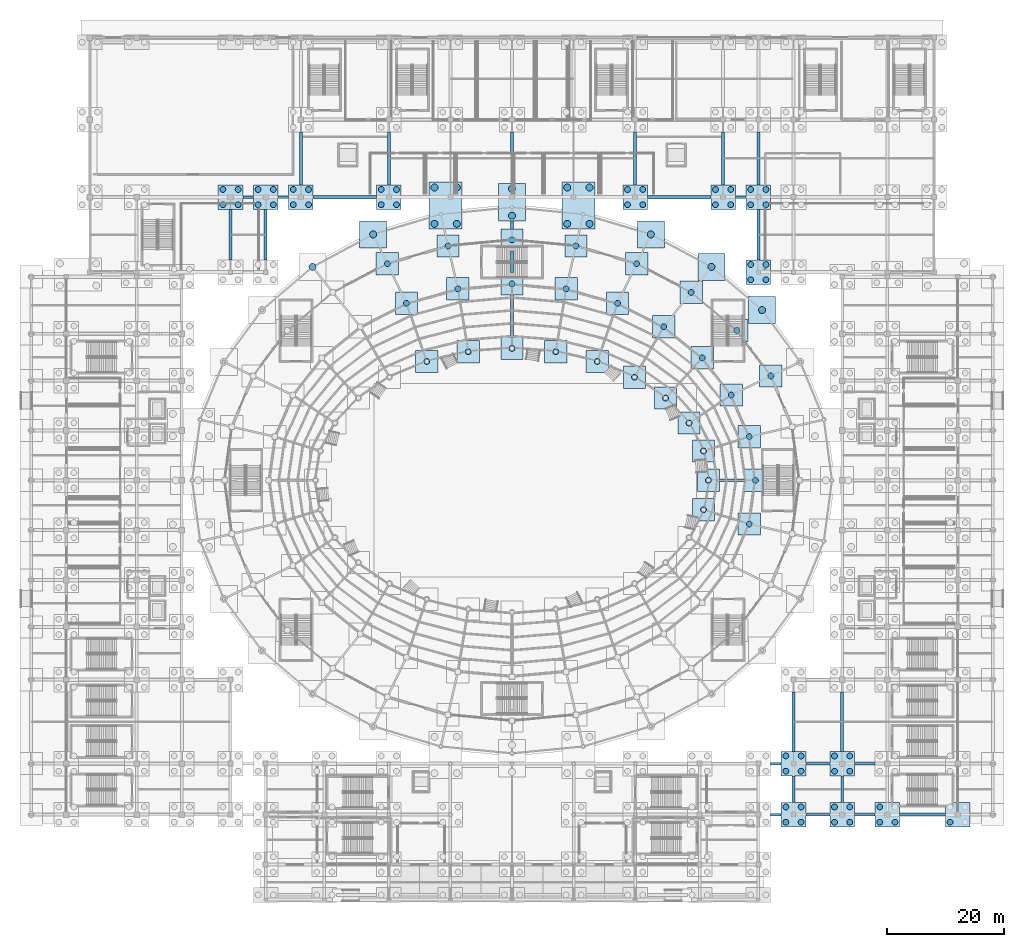
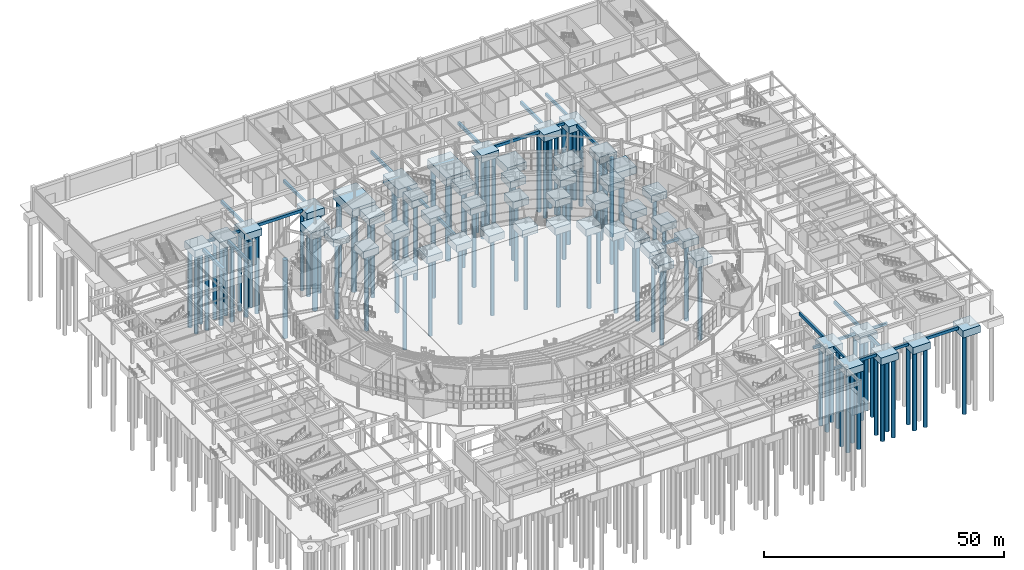
# One storey, part 5 of 121: 97 piles, 80 footings.
"""IFC4 building model written with IfcOpenShell, lengths in metres."""

from ifc_helpers import new_model, si_unit, direction, frame, origin, origin_2d, place, context, subcontext, project, spatial, rectangle, circle, extrude, material, material_profile, profile_set, type_object, element, save


model = new_model("IFC4")

# Units and contexts
model_context = context("Model", 3, precision=1e-05, world=origin(), true_north=direction((0.0, 1.0)))
body_context = subcontext(model_context, "Body", "Model", "MODEL_VIEW")
ifc_project = project(units=[si_unit("LENGTHUNIT", "METRE"), si_unit("AREAUNIT", "SQUARE_METRE"), si_unit("VOLUMEUNIT", "CUBIC_METRE"), si_unit("PLANEANGLEUNIT", "RADIAN"), si_unit("MASSUNIT", "GRAM", prefix="KILO")], contexts=[model_context])

# Site, building, storey
site_placement = place(None, origin())
site = spatial("IfcSite", under=ifc_project, at=site_placement, CompositionType="ELEMENT")
building_placement = place(site_placement, origin())
building = spatial("IfcBuilding", under=site, at=building_placement, Name="Cuetzalor Civic Arena", CompositionType="ELEMENT")
storey_placement = place(building_placement, origin())
storey = spatial("IfcBuildingStorey", under=building, at=storey_placement, Name="L00", CompositionType="ELEMENT", Elevation=0.0)

# Piles
ifc_material_1 = material(Name="Concrete C40/50", Category="concrete")
ifc_material_profile_1 = material_profile(ifc_material_1, circle(Radius=0.5, at=origin_2d()), Name="BORED PILE D1000")
ifc_profile_set_1 = profile_set([ifc_material_profile_1], Name="Concrete C40/50")
pile_type_1 = type_object("IfcPileType", Name="BoredPile_D1000", PredefinedType="BORED", material=ifc_profile_set_1)
for number, where, z_axis, x_axis, name in (
    (1, (46.699951171875, -58.300048828125, -2.050048828125), (0.0, 0.0, -1.0), (1.0, 0.0, 0.0), "Bored Pile 0104"),
    (2, (46.699951171875, -55.699951171875, -2.050048828125), (0.0, 0.0, -1.0), (1.0, 0.0, 0.0), "Bored Pile 0105"),
    (3, (49.300048828125, -58.300048828125, -2.050048828125), (0.0, 0.0, -1.0), (1.0, 0.0, 0.0), "Bored Pile 0106"),
    (4, (49.300048828125, -55.699951171875, -2.050048828125), (0.0, 0.0, -1.0), (1.0, 0.0, 0.0), "Bored Pile 0107"),
    (5, (55.0, -58.300048828125, -2.050048828125), (0.0, 0.0, -1.0), (1.0, 0.0, 0.0), "Bored Pile 0108"),
    (6, (55.0, -55.699951171875, -2.050048828125), (0.0, 0.0, -1.0), (1.0, 0.0, 0.0), "Bored Pile 0109"),
    (7, (57.60009765625, -58.300048828125, -2.050048828125), (0.0, 0.0, -1.0), (1.0, 0.0, 0.0), "Bored Pile 0110"),
    (8, (57.60009765625, -55.699951171875, -2.050048828125), (0.0, 0.0, -1.0), (1.0, 0.0, 0.0), "Bored Pile 0111"),
    (9, (62.699951171875, -58.300048828125, -2.050048828125), (0.0, 0.0, -1.0), (1.0, 0.0, 0.0), "Bored Pile 0112"),
    (10, (62.699951171875, -55.699951171875, -2.050048828125), (0.0, 0.0, -1.0), (1.0, 0.0, 0.0), "Bored Pile 0113"),
    (11, (65.300048828125, -58.300048828125, -2.050048828125), (0.0, 0.0, -1.0), (1.0, 0.0, 0.0), "Bored Pile 0114"),
    (12, (74.699951171875, -58.300048828125, -2.050048828125), (0.0, 0.0, -1.0), (1.0, 0.0, 0.0), "Bored Pile 0116"),
    (13, (46.699951171875, -49.60009765625, -2.050048828125), (0.0, 0.0, -1.0), (1.0, 0.0, 0.0), "Bored Pile 0162"),
    (14, (46.699951171875, -47.0, -2.050048828125), (0.0, 0.0, -1.0), (1.0, 0.0, 0.0), "Bored Pile 0163"),
    (15, (49.300048828125, -49.60009765625, -2.050048828125), (0.0, 0.0, -1.0), (1.0, 0.0, 0.0), "Bored Pile 0164"),
    (16, (49.300048828125, -47.0, -2.050048828125), (0.0, 0.0, -1.0), (1.0, 0.0, 0.0), "Bored Pile 0165"),
    (17, (55.0, -49.60009765625, -2.050048828125), (0.0, 0.0, -1.0), (1.0, 0.0, 0.0), "Bored Pile 0166"),
    (18, (55.0, -47.0, -2.050048828125), (0.0, 0.0, -1.0), (1.0, 0.0, 0.0), "Bored Pile 0167"),
    (19, (57.60009765625, -49.60009765625, -2.050048828125), (0.0, 0.0, -1.0), (1.0, 0.0, 0.0), "Bored Pile 0168"),
    (20, (57.60009765625, -47.0, -2.050048828125), (0.0, 0.0, -1.0), (1.0, 0.0, 0.0), "Bored Pile 0169"),
    (21, (40.45947265625, -7.45458984375, -2.050048828125), (0.0, 0.0, -1.0), (1.0, 0.0, 0.0), "Bored Pile 0345"),
    (22, (32.66015625, -5.006591796875, -2.050048828125), (0.0, 0.0, -1.0), (1.0, 0.0, 0.0), "Bored Pile 0347"),
    (23, (33.5, 0.0, -2.050048828125), (0.0, 0.0, -1.0), (1.0, 0.0, 0.0), "Bored Pile 0362"),
    (24, (41.5, 0.0, -2.050048828125), (0.0, 0.0, -1.0), (1.0, 0.0, 0.0), "Bored Pile 0363"),
    (25, (32.66015625, 5.006591796875, -2.050048828125), (0.0, 0.0, -1.0), (1.0, 0.0, 0.0), "Bored Pile 0377"),
    (26, (40.45947265625, 7.45458984375, -2.050048828125), (0.0, 0.0, -1.0), (1.0, 0.0, 0.0), "Bored Pile 0379"),
    (27, (30.1826171875, 9.762451171875, -2.050048828125), (0.0, 0.0, -1.0), (1.0, 0.0, 0.0), "Bored Pile 0401"),
    (28, (26.19140625, 14.028564453125, -2.050048828125), (0.0, 0.0, -1.0), (1.0, 0.0, 0.0), "Bored Pile 0411"),
    (29, (37.39013671875, 14.53515625, -2.050048828125), (0.0, 0.0, -1.0), (1.0, 0.0, 0.0), "Bored Pile 0413"),
    (30, (20.886962890625, 17.59130859375, -2.050048828125), (0.0, 0.0, -1.0), (1.0, 0.0, 0.0), "Bored Pile 0441"),
    (31, (44.1474609375, 17.789306640625, -2.050048828125), (0.0, 0.0, -1.0), (1.0, 0.0, 0.0), "Bored Pile 0443"),
    (32, (-14.53515625, 20.271728515625, -2.050048828125), (0.0, 0.0, -1.0), (1.0, 0.0, 0.0), "Bored Pile 0446"),
    (33, (14.53515625, 20.271728515625, -2.050048828125), (0.0, 0.0, -1.0), (1.0, 0.0, 0.0), "Bored Pile 0447"),
    (34, (32.446044921875, 20.886962890625, -2.050048828125), (0.0, 0.0, -1.0), (1.0, 0.0, 0.0), "Bored Pile 0449"),
    (35, (-7.45458984375, 21.935791015625, -2.050048828125), (0.0, 0.0, -1.0), (1.0, 0.0, 0.0), "Bored Pile 0450"),
    (36, (7.45458984375, 21.935791015625, -2.050048828125), (0.0, 0.0, -1.0), (1.0, 0.0, 0.0), "Bored Pile 0451"),
    (37, (0.0, 22.5, -2.050048828125), (0.0, 0.0, -1.0), (1.0, 0.0, 0.0), "Bored Pile 0452"),
    (38, (38.309814453125, 25.56298828125, -2.050048828125), (0.0, 0.0, -1.0), (1.0, 0.0, 0.0), "Bored Pile 0480"),
    (39, (25.874755859375, 26.19140625, -2.050048828125), (0.0, 0.0, -1.0), (1.0, 0.0, 0.0), "Bored Pile 0482"),
    (40, (-18.006103515625, 30.1826171875, -2.050048828125), (0.0, 0.0, -1.0), (1.0, 0.0, 0.0), "Bored Pile 0485"),
    (41, (18.006103515625, 30.1826171875, -2.050048828125), (0.0, 0.0, -1.0), (1.0, 0.0, 0.0), "Bored Pile 0486"),
    (42, (30.551025390625, 32.05517578125, -2.050048828125), (0.0, 0.0, -1.0), (1.0, 0.0, 0.0), "Bored Pile 0488"),
    (43, (-9.234619140625, 32.66015625, -2.050048828125), (0.0, 0.0, -1.0), (1.0, 0.0, 0.0), "Bored Pile 0489"),
    (44, (9.234619140625, 32.66015625, -2.050048828125), (0.0, 0.0, -1.0), (1.0, 0.0, 0.0), "Bored Pile 0490"),
    (45, (0.0, 33.5, -2.050048828125), (0.0, 0.0, -1.0), (1.0, 0.0, 0.0), "Bored Pile 0491"),
    (46, (40.699951171875, 34.199951171875, -2.050048828125), (0.0, 0.0, -1.0), (1.0, 0.0, 0.0), "Bored Pile 0526"),
    (47, (40.699951171875, 36.800048828125, -2.050048828125), (0.0, 0.0, -1.0), (1.0, 0.0, 0.0), "Bored Pile 0527"),
    (48, (43.300048828125, 34.199951171875, -2.050048828125), (0.0, 0.0, -1.0), (1.0, 0.0, 0.0), "Bored Pile 0528"),
    (49, (43.300048828125, 36.800048828125, -2.050048828125), (0.0, 0.0, -1.0), (1.0, 0.0, 0.0), "Bored Pile 0529"),
    (50, (-21.26025390625, 36.939697265625, -2.050048828125), (0.0, 0.0, -1.0), (1.0, 0.0, 0.0), "Bored Pile 0536"),
    (51, (21.26025390625, 36.939697265625, -2.050048828125), (0.0, 0.0, -1.0), (1.0, 0.0, 0.0), "Bored Pile 0537"),
    (52, (-10.903564453125, 39.971923828125, -2.050048828125), (0.0, 0.0, -1.0), (1.0, 0.0, 0.0), "Bored Pile 0538"),
    (53, (10.903564453125, 39.971923828125, -2.050048828125), (0.0, 0.0, -1.0), (1.0, 0.0, 0.0), "Bored Pile 0539"),
    (54, (0.0, 41.0, -2.050048828125), (0.0, 0.0, -1.0), (1.0, 0.0, 0.0), "Bored Pile 0540"),
    (55, (-49.300048828125, 47.0, -2.050048828125), (0.0, 0.0, -1.0), (1.0, 0.0, 0.0), "Bored Pile 0561"),
    (56, (-49.300048828125, 49.60009765625, -2.050048828125), (0.0, 0.0, -1.0), (1.0, 0.0, 0.0), "Bored Pile 0562"),
    (57, (-46.699951171875, 47.0, -2.050048828125), (0.0, 0.0, -1.0), (1.0, 0.0, 0.0), "Bored Pile 0563"),
    (58, (-46.699951171875, 49.60009765625, -2.050048828125), (0.0, 0.0, -1.0), (1.0, 0.0, 0.0), "Bored Pile 0564"),
    (59, (-43.300048828125, 47.0, -2.050048828125), (0.0, 0.0, -1.0), (1.0, 0.0, 0.0), "Bored Pile 0565"),
    (60, (-43.300048828125, 49.60009765625, -2.050048828125), (0.0, 0.0, -1.0), (1.0, 0.0, 0.0), "Bored Pile 0566"),
    (61, (-40.699951171875, 47.0, -2.050048828125), (0.0, 0.0, -1.0), (1.0, 0.0, 0.0), "Bored Pile 0567"),
    (62, (-40.699951171875, 49.60009765625, -2.050048828125), (0.0, 0.0, -1.0), (1.0, 0.0, 0.0), "Bored Pile 0568"),
    (63, (-37.300048828125, 47.0, -2.050048828125), (0.0, 0.0, -1.0), (1.0, 0.0, 0.0), "Bored Pile 0569"),
    (64, (-37.300048828125, 49.60009765625, -2.050048828125), (0.0, 0.0, -1.0), (1.0, 0.0, 0.0), "Bored Pile 0570"),
    (65, (-34.699951171875, 47.0, -2.050048828125), (0.0, 0.0, -1.0), (1.0, 0.0, 0.0), "Bored Pile 0571"),
    (66, (-34.699951171875, 49.60009765625, -2.050048828125), (0.0, 0.0, -1.0), (1.0, 0.0, 0.0), "Bored Pile 0572"),
    (67, (-22.300048828125, 47.0, -2.050048828125), (0.0, 0.0, -1.0), (1.0, 0.0, 0.0), "Bored Pile 0573"),
    (68, (-22.300048828125, 49.60009765625, -2.050048828125), (0.0, 0.0, -1.0), (1.0, 0.0, 0.0), "Bored Pile 0574"),
    (69, (-19.699951171875, 47.0, -2.050048828125), (0.0, 0.0, -1.0), (1.0, 0.0, 0.0), "Bored Pile 0575"),
    (70, (-19.699951171875, 49.60009765625, -2.050048828125), (0.0, 0.0, -1.0), (1.0, 0.0, 0.0), "Bored Pile 0576"),
    (71, (19.699951171875, 47.0, -2.050048828125), (0.0, 0.0, -1.0), (1.0, 0.0, 0.0), "Bored Pile 0577"),
    (72, (19.699951171875, 49.60009765625, -2.050048828125), (0.0, 0.0, -1.0), (1.0, 0.0, 0.0), "Bored Pile 0578"),
    (73, (22.300048828125, 47.0, -2.050048828125), (0.0, 0.0, -1.0), (1.0, 0.0, 0.0), "Bored Pile 0579"),
    (74, (22.300048828125, 49.60009765625, -2.050048828125), (0.0, 0.0, -1.0), (1.0, 0.0, 0.0), "Bored Pile 0580"),
    (75, (34.699951171875, 47.0, -2.050048828125), (0.0, 0.0, -1.0), (1.0, 0.0, 0.0), "Bored Pile 0581"),
    (76, (34.699951171875, 49.60009765625, -2.050048828125), (0.0, 0.0, -1.0), (1.0, 0.0, 0.0), "Bored Pile 0582"),
    (77, (37.300048828125, 47.0, -2.050048828125), (0.0, 0.0, -1.0), (1.0, 0.0, 0.0), "Bored Pile 0583"),
    (78, (37.300048828125, 49.60009765625, -2.050048828125), (0.0, 0.0, -1.0), (1.0, 0.0, 0.0), "Bored Pile 0584"),
    (79, (40.699951171875, 47.0, -2.050048828125), (0.0, 0.0, -1.0), (1.0, 0.0, 0.0), "Bored Pile 0585"),
    (80, (40.699951171875, 49.60009765625, -2.050048828125), (0.0, 0.0, -1.0), (1.0, 0.0, 0.0), "Bored Pile 0586"),
    (81, (43.300048828125, 47.0, -2.050048828125), (0.0, 0.0, -1.0), (1.0, 0.0, 0.0), "Bored Pile 0587"),
    (82, (43.300048828125, 49.60009765625, -2.050048828125), (0.0, 0.0, -1.0), (1.0, 0.0, 0.0), "Bored Pile 0588"),
):
    element("IfcPile", number, at=place(storey_placement, frame(where, z_axis=z_axis, x_axis=x_axis)), inside=storey, type_object=pile_type_1, Name=name, PredefinedType="BORED", context=body_context, shape_type="SweptSolid", body=[
        extrude(circle(Radius=0.5, at=origin_2d()), origin(), (0.0, 0.0, 1.0), 19.949951171875),
    ])
ifc_material_2 = material(Name="Concrete C40/50", Category="concrete")
ifc_material_profile_2 = material_profile(ifc_material_2, circle(Radius=0.60009765625, at=origin_2d()), Name="BORED PILE D1200")
ifc_profile_set_2 = profile_set([ifc_material_profile_2], Name="Concrete C40/50")
pile_type_2 = type_object("IfcPileType", Name="BoredPile_D1200", PredefinedType="BORED", material=ifc_profile_set_2)
for number, where, z_axis, x_axis, name in (
    (83, (42.64892578125, 29.0234375, -2.050048828125), (0.0, 0.0, -1.0), (1.0, 0.0, 0.0), "Bored Pile 0484"),
    (84, (-34.011474609375, 36.394287109375, -2.050048828125), (0.0, 0.0, -1.0), (1.0, 0.0, 0.0), "Bored Pile 0534"),
    (85, (34.011474609375, 36.394287109375, -2.050048828125), (0.0, 0.0, -1.0), (1.0, 0.0, 0.0), "Bored Pile 0535"),
    (86, (-23.66845703125, 41.940185546875, -2.050048828125), (0.0, 0.0, -1.0), (1.0, 0.0, 0.0), "Bored Pile 0541"),
    (87, (23.66845703125, 41.940185546875, -2.050048828125), (0.0, 0.0, -1.0), (1.0, 0.0, 0.0), "Bored Pile 0542"),
):
    element("IfcPile", number, at=place(storey_placement, frame(where, z_axis=z_axis, x_axis=x_axis)), inside=storey, type_object=pile_type_2, Name=name, PredefinedType="BORED", context=body_context, shape_type="SweptSolid", body=[
        extrude(circle(Radius=0.60009765625, at=origin_2d()), origin(), (0.0, 0.0, 1.0), 19.949951171875),
    ])
for number, where, z_axis, x_axis, name in (
    (88, (-13.21923828125, 43.741455078125, -2.449951171875), (0.0, 0.0, -1.0), (1.0, 0.0, 0.0), "Bored Pile 0543"),
    (89, (-13.21923828125, 49.94140625, -2.449951171875), (0.0, 0.0, -1.0), (1.0, 0.0, 0.0), "Bored Pile 0544"),
    (90, (-9.419189453125, 43.741455078125, -2.449951171875), (0.0, 0.0, -1.0), (1.0, 0.0, 0.0), "Bored Pile 0545"),
    (91, (-9.419189453125, 49.94140625, -2.449951171875), (0.0, 0.0, -1.0), (1.0, 0.0, 0.0), "Bored Pile 0546"),
    (92, (9.419189453125, 43.741455078125, -2.449951171875), (0.0, 0.0, -1.0), (1.0, 0.0, 0.0), "Bored Pile 0547"),
    (93, (9.419189453125, 49.94140625, -2.449951171875), (0.0, 0.0, -1.0), (1.0, 0.0, 0.0), "Bored Pile 0548"),
    (94, (13.21923828125, 43.741455078125, -2.449951171875), (0.0, 0.0, -1.0), (1.0, 0.0, 0.0), "Bored Pile 0549"),
    (95, (13.21923828125, 49.94140625, -2.449951171875), (0.0, 0.0, -1.0), (1.0, 0.0, 0.0), "Bored Pile 0550"),
    (96, (0.0, 45.125, -2.449951171875), (0.0, 0.0, -1.0), (1.0, 0.0, 0.0), "Bored Pile 0551"),
    (97, (0.0, 49.72509765625, -2.449951171875), (0.0, 0.0, -1.0), (1.0, 0.0, 0.0), "Bored Pile 0552"),
):
    element("IfcPile", number, at=place(storey_placement, frame(where, z_axis=z_axis, x_axis=x_axis)), inside=storey, type_object=pile_type_2, Name=name, PredefinedType="BORED", context=body_context, shape_type="SweptSolid", body=[
        extrude(circle(Radius=0.60009765625, at=origin_2d()), origin(), (0.0, 0.0, 1.0), 19.550048828125),
    ])

# Footings
ifc_material_3 = material(Name="Concrete C40/50", Category="concrete")
footing_type_1 = type_object("IfcFootingType", Name="CombinedPileCap_A", PredefinedType="PILE_CAP", material=ifc_material_3)
for number, where, z_axis, x_axis, name in (
    (98, (48.0, -57.0, -2.14990234375), (0.0, 0.0, 1.0), (1.0, 0.0, 0.0), "Combined Pile Cap 032"),
    (99, (56.300048828125, -57.0, -2.14990234375), (0.0, 0.0, 1.0), (1.0, 0.0, 0.0), "Combined Pile Cap 033"),
    (100, (64.0, -57.0, -2.14990234375), (0.0, 0.0, 1.0), (1.0, 0.0, 0.0), "Combined Pile Cap 034"),
    (101, (76.0, -57.0, -2.14990234375), (0.0, 0.0, 1.0), (1.0, 0.0, 0.0), "Combined Pile Cap 035"),
    (102, (48.0, -48.300048828125, -2.14990234375), (0.0, 0.0, 1.0), (1.0, 0.0, 0.0), "Combined Pile Cap 048"),
    (103, (56.300048828125, -48.300048828125, -2.14990234375), (0.0, 0.0, 1.0), (1.0, 0.0, 0.0), "Combined Pile Cap 049"),
    (104, (42.0, 35.5, -2.14990234375), (0.0, 0.0, 1.0), (1.0, 0.0, 0.0), "Combined Pile Cap 223"),
    (105, (-48.0, 48.300048828125, -2.14990234375), (0.0, 0.0, 1.0), (1.0, 0.0, 0.0), "Combined Pile Cap 239"),
    (106, (-42.0, 48.300048828125, -2.14990234375), (0.0, 0.0, 1.0), (1.0, 0.0, 0.0), "Combined Pile Cap 240"),
    (107, (-36.0, 48.300048828125, -2.14990234375), (0.0, 0.0, 1.0), (1.0, 0.0, 0.0), "Combined Pile Cap 241"),
    (108, (-21.0, 48.300048828125, -2.14990234375), (0.0, 0.0, 1.0), (1.0, 0.0, 0.0), "Combined Pile Cap 242"),
    (109, (21.0, 48.300048828125, -2.14990234375), (0.0, 0.0, 1.0), (1.0, 0.0, 0.0), "Combined Pile Cap 243"),
    (110, (36.0, 48.300048828125, -2.14990234375), (0.0, 0.0, 1.0), (1.0, 0.0, 0.0), "Combined Pile Cap 244"),
    (111, (42.0, 48.300048828125, -2.14990234375), (0.0, 0.0, 1.0), (1.0, 0.0, 0.0), "Combined Pile Cap 245"),
):
    element("IfcFooting", number, at=place(storey_placement, frame(where, z_axis=z_axis, x_axis=x_axis)), inside=storey, type_object=footing_type_1, Name=name, PredefinedType="PILE_CAP", context=body_context, shape_type="SweptSolid", body=[
        extrude(rectangle(XDim=4.199951171875, YDim=4.199951171875, at=origin_2d()), origin(), (0.0, 0.0, 1.0), 1.800048828125),
    ])
ifc_material_4 = material(Name="Concrete C40/50", Category="concrete")
footing_type_2 = type_object("IfcFootingType", Name="CombinedPileCap_B", PredefinedType="PILE_CAP", material=ifc_material_4)
for number, where, z_axis, x_axis, name in (
    (112, (42.64892578125, 29.0234375, -2.14990234375), (0.0, 0.0, 1.0), (1.0, 0.0, 0.0), "Combined Pile Cap 205"),
    (113, (34.011474609375, 36.394287109375, -2.14990234375), (0.0, 0.0, 1.0), (1.0, 0.0, 0.0), "Combined Pile Cap 226"),
    (114, (-23.66845703125, 41.940185546875, -2.14990234375), (0.0, 0.0, 1.0), (1.0, 0.0, 0.0), "Combined Pile Cap 232"),
    (115, (23.66845703125, 41.940185546875, -2.14990234375), (0.0, 0.0, 1.0), (1.0, 0.0, 0.0), "Combined Pile Cap 233"),
):
    element("IfcFooting", number, at=place(storey_placement, frame(where, z_axis=z_axis, x_axis=x_axis)), inside=storey, type_object=footing_type_2, Name=name, PredefinedType="PILE_CAP", context=body_context, shape_type="SweptSolid", body=[
        extrude(rectangle(XDim=4.60009765625, YDim=4.60009765625, at=origin_2d()), origin(), (0.0, 0.0, 1.0), 1.800048828125),
    ])
ifc_material_5 = material(Name="Concrete C40/50", Category="concrete")
footing_type_3 = type_object("IfcFootingType", Name="CombinedPileCap_F", PredefinedType="PILE_CAP", material=ifc_material_5)
footing_1_placement = place(storey_placement, frame((0.0, 47.425048828125, -2.5498046875), z_axis=(0.0, 0.0, 1.0), x_axis=(1.0, 0.0, 0.0)))
element("IfcFooting", 116, at=footing_1_placement, inside=storey, type_object=footing_type_3, Name="Combined Pile Cap 236", PredefinedType="PILE_CAP", context=body_context, shape_type="SweptSolid", body=[
    extrude(rectangle(XDim=4.60009765625, YDim=6.39990234375, at=origin_2d()), origin(), (0.0, 0.0, 1.0), 2.199951171875),
])
ifc_material_6 = material(Name="Concrete C40/50", Category="concrete")
footing_type_4 = type_object("IfcFootingType", Name="CombinedPileCap_K", PredefinedType="PILE_CAP", material=ifc_material_6)
for number, where, z_axis, x_axis, name in (
    (117, (-11.3193359375, 46.84130859375, -2.5498046875), (0.0, 0.0, 1.0), (1.0, 0.0, 0.0), "Combined Pile Cap 234"),
    (118, (11.3193359375, 46.84130859375, -2.5498046875), (0.0, 0.0, 1.0), (1.0, 0.0, 0.0), "Combined Pile Cap 235"),
):
    element("IfcFooting", number, at=place(storey_placement, frame(where, z_axis=z_axis, x_axis=x_axis)), inside=storey, type_object=footing_type_4, Name=name, PredefinedType="PILE_CAP", context=body_context, shape_type="SweptSolid", body=[
        extrude(rectangle(XDim=5.60009765625, YDim=8.0, at=origin_2d()), origin(), (0.0, 0.0, 1.0), 2.199951171875),
    ])
ifc_material_7 = material(Name="Concrete C40/50", Category="concrete")
footing_type_5 = type_object("IfcFootingType", Name="CombinedPileCap_M", PredefinedType="PILE_CAP", material=ifc_material_7)
for number, where, z_axis, x_axis, name in (
    (119, (40.45947265625, -7.45458984375, -2.14990234375), (0.0, 0.0, 1.0), (1.0, 0.0, 0.0), "Combined Pile Cap 134"),
    (120, (32.66015625, -5.006591796875, -2.14990234375), (0.0, 0.0, 1.0), (1.0, 0.0, 0.0), "Combined Pile Cap 136"),
    (121, (33.5, 0.0, -2.14990234375), (0.0, 0.0, 1.0), (1.0, 0.0, 0.0), "Combined Pile Cap 144"),
    (122, (41.5, 0.0, -2.14990234375), (0.0, 0.0, 1.0), (1.0, 0.0, 0.0), "Combined Pile Cap 145"),
    (123, (32.66015625, 5.006591796875, -2.14990234375), (0.0, 0.0, 1.0), (1.0, 0.0, 0.0), "Combined Pile Cap 152"),
    (124, (40.45947265625, 7.45458984375, -2.14990234375), (0.0, 0.0, 1.0), (1.0, 0.0, 0.0), "Combined Pile Cap 154"),
    (125, (30.1826171875, 9.762451171875, -2.14990234375), (0.0, 0.0, 1.0), (1.0, 0.0, 0.0), "Combined Pile Cap 164"),
    (126, (26.19140625, 14.028564453125, -2.14990234375), (0.0, 0.0, 1.0), (1.0, 0.0, 0.0), "Combined Pile Cap 168"),
    (127, (37.39013671875, 14.53515625, -2.14990234375), (0.0, 0.0, 1.0), (1.0, 0.0, 0.0), "Combined Pile Cap 170"),
    (128, (20.886962890625, 17.59130859375, -2.14990234375), (0.0, 0.0, 1.0), (1.0, 0.0, 0.0), "Combined Pile Cap 180"),
    (129, (44.1474609375, 17.789306640625, -2.14990234375), (0.0, 0.0, 1.0), (1.0, 0.0, 0.0), "Combined Pile Cap 182"),
    (130, (-14.53515625, 20.271728515625, -2.14990234375), (0.0, 0.0, 1.0), (1.0, 0.0, 0.0), "Combined Pile Cap 185"),
    (131, (14.53515625, 20.271728515625, -2.14990234375), (0.0, 0.0, 1.0), (1.0, 0.0, 0.0), "Combined Pile Cap 186"),
    (132, (32.446044921875, 20.886962890625, -2.14990234375), (0.0, 0.0, 1.0), (1.0, 0.0, 0.0), "Combined Pile Cap 188"),
    (133, (-7.45458984375, 21.935791015625, -2.14990234375), (0.0, 0.0, 1.0), (1.0, 0.0, 0.0), "Combined Pile Cap 189"),
    (134, (7.45458984375, 21.935791015625, -2.14990234375), (0.0, 0.0, 1.0), (1.0, 0.0, 0.0), "Combined Pile Cap 190"),
    (135, (0.0, 22.5, -2.14990234375), (0.0, 0.0, 1.0), (1.0, 0.0, 0.0), "Combined Pile Cap 191"),
    (136, (38.309814453125, 25.56298828125, -2.14990234375), (0.0, 0.0, 1.0), (1.0, 0.0, 0.0), "Combined Pile Cap 201"),
    (137, (25.874755859375, 26.19140625, -2.14990234375), (0.0, 0.0, 1.0), (1.0, 0.0, 0.0), "Combined Pile Cap 203"),
    (138, (-18.006103515625, 30.1826171875, -2.14990234375), (0.0, 0.0, 1.0), (1.0, 0.0, 0.0), "Combined Pile Cap 206"),
    (139, (18.006103515625, 30.1826171875, -2.14990234375), (0.0, 0.0, 1.0), (1.0, 0.0, 0.0), "Combined Pile Cap 207"),
    (140, (30.551025390625, 32.05517578125, -2.14990234375), (0.0, 0.0, 1.0), (1.0, 0.0, 0.0), "Combined Pile Cap 209"),
    (141, (-9.234619140625, 32.66015625, -2.14990234375), (0.0, 0.0, 1.0), (1.0, 0.0, 0.0), "Combined Pile Cap 210"),
    (142, (9.234619140625, 32.66015625, -2.14990234375), (0.0, 0.0, 1.0), (1.0, 0.0, 0.0), "Combined Pile Cap 211"),
    (143, (0.0, 33.5, -2.14990234375), (0.0, 0.0, 1.0), (1.0, 0.0, 0.0), "Combined Pile Cap 212"),
    (144, (-21.26025390625, 36.939697265625, -2.14990234375), (0.0, 0.0, 1.0), (1.0, 0.0, 0.0), "Combined Pile Cap 227"),
    (145, (21.26025390625, 36.939697265625, -2.14990234375), (0.0, 0.0, 1.0), (1.0, 0.0, 0.0), "Combined Pile Cap 228"),
    (146, (-10.903564453125, 39.971923828125, -2.14990234375), (0.0, 0.0, 1.0), (1.0, 0.0, 0.0), "Combined Pile Cap 229"),
    (147, (10.903564453125, 39.971923828125, -2.14990234375), (0.0, 0.0, 1.0), (1.0, 0.0, 0.0), "Combined Pile Cap 230"),
    (148, (0.0, 41.0, -2.14990234375), (0.0, 0.0, 1.0), (1.0, 0.0, 0.0), "Combined Pile Cap 231"),
):
    element("IfcFooting", number, at=place(storey_placement, frame(where, z_axis=z_axis, x_axis=x_axis)), inside=storey, type_object=footing_type_5, Name=name, PredefinedType="PILE_CAP", context=body_context, shape_type="SweptSolid", body=[
        extrude(rectangle(XDim=3.800048828125, YDim=3.800048828125, at=origin_2d()), origin(), (0.0, 0.0, 1.0), 1.800048828125),
    ])
ifc_material_8 = material(Name="Concrete C40/50", Category="concrete")
ifc_material_profile_3 = material_profile(ifc_material_8, rectangle(XDim=0.449951171875, YDim=0.64990234375, at=origin_2d()), Name="RC 450x650")
ifc_profile_set_3 = profile_set([ifc_material_profile_3], Name="Concrete C40/50")
footing_type_6 = type_object("IfcFootingType", Name="GroundTieBeam_450x650", PredefinedType="FOOTING_BEAM", material=ifc_profile_set_3)
footing_2_placement = place(storey_placement, frame((44.10009765625, -57.0, -0.675048828125), z_axis=(1.0, 0.0, 0.0), x_axis=(0.0, 1.0, 0.0)))
element("IfcFooting", 149, at=footing_2_placement, inside=storey, type_object=footing_type_6, Name="Ground Tie Beam 055", PredefinedType="FOOTING_BEAM", context=body_context, shape_type="SweptSolid", body=[
    extrude(rectangle(XDim=0.449951171875, YDim=0.64990234375, at=origin_2d()), origin(), (0.0, 0.0, 1.0), 1.7998046875),
])
footing_3_placement = place(storey_placement, frame((50.10009765625, -57.0, -0.675048828125), z_axis=(1.0, 0.0, 0.0), x_axis=(0.0, 1.0, 0.0)))
element("IfcFooting", 150, at=footing_3_placement, inside=storey, type_object=footing_type_6, Name="Ground Tie Beam 057", PredefinedType="FOOTING_BEAM", context=body_context, shape_type="SweptSolid", body=[
    extrude(rectangle(XDim=0.449951171875, YDim=0.64990234375, at=origin_2d()), origin(), (0.0, 0.0, 1.0), 4.099853515625),
])
footing_4_placement = place(storey_placement, frame((48.0, -54.89990234375, -0.675048828125), z_axis=(0.0, 1.0, 0.0), x_axis=(-1.0, 0.0, 0.0)))
element("IfcFooting", 151, at=footing_4_placement, inside=storey, type_object=footing_type_6, Name="Ground Tie Beam 058", PredefinedType="FOOTING_BEAM", context=body_context, shape_type="SweptSolid", body=[
    extrude(rectangle(XDim=0.449951171875, YDim=0.64990234375, at=origin_2d()), origin(), (0.0, 0.0, 1.0), 4.5),
])
footing_5_placement = place(storey_placement, frame((58.39990234375, -57.0, -0.675048828125), z_axis=(1.0, 0.0, 0.0), x_axis=(0.0, 1.0, 0.0)))
element("IfcFooting", 152, at=footing_5_placement, inside=storey, type_object=footing_type_6, Name="Ground Tie Beam 059", PredefinedType="FOOTING_BEAM", context=body_context, shape_type="SweptSolid", body=[
    extrude(rectangle(XDim=0.449951171875, YDim=0.64990234375, at=origin_2d()), origin(), (0.0, 0.0, 1.0), 3.5),
])
footing_6_placement = place(storey_placement, frame((56.300048828125, -54.89990234375, -0.675048828125), z_axis=(0.0, 1.0, 0.0), x_axis=(-1.0, 0.0, 0.0)))
element("IfcFooting", 153, at=footing_6_placement, inside=storey, type_object=footing_type_6, Name="Ground Tie Beam 060", PredefinedType="FOOTING_BEAM", context=body_context, shape_type="SweptSolid", body=[
    extrude(rectangle(XDim=0.449951171875, YDim=0.64990234375, at=origin_2d()), origin(), (0.0, 0.0, 1.0), 4.5),
])
footing_7_placement = place(storey_placement, frame((44.10009765625, -48.300048828125, -0.675048828125), z_axis=(1.0, 0.0, 0.0), x_axis=(0.0, 1.0, 0.0)))
element("IfcFooting", 154, at=footing_7_placement, inside=storey, type_object=footing_type_6, Name="Ground Tie Beam 080", PredefinedType="FOOTING_BEAM", context=body_context, shape_type="SweptSolid", body=[
    extrude(rectangle(XDim=0.449951171875, YDim=0.64990234375, at=origin_2d()), origin(), (0.0, 0.0, 1.0), 1.7998046875),
])
footing_8_placement = place(storey_placement, frame((50.10009765625, -48.300048828125, -0.675048828125), z_axis=(1.0, 0.0, 0.0), x_axis=(0.0, 1.0, 0.0)))
element("IfcFooting", 155, at=footing_8_placement, inside=storey, type_object=footing_type_6, Name="Ground Tie Beam 081", PredefinedType="FOOTING_BEAM", context=body_context, shape_type="SweptSolid", body=[
    extrude(rectangle(XDim=0.449951171875, YDim=0.64990234375, at=origin_2d()), origin(), (0.0, 0.0, 1.0), 4.099853515625),
])
footing_9_placement = place(storey_placement, frame((58.39990234375, -48.300048828125, -0.675048828125), z_axis=(1.0, 0.0, 0.0), x_axis=(0.0, 1.0, 0.0)))
element("IfcFooting", 156, at=footing_9_placement, inside=storey, type_object=footing_type_6, Name="Ground Tie Beam 083", PredefinedType="FOOTING_BEAM", context=body_context, shape_type="SweptSolid", body=[
    extrude(rectangle(XDim=0.449951171875, YDim=0.64990234375, at=origin_2d()), origin(), (0.0, 0.0, 1.0), 3.5),
])
footing_10_placement = place(storey_placement, frame((35.39990234375, 0.0, -0.675048828125), z_axis=(1.0, 0.0, 0.0), x_axis=(0.0, 1.0, 0.0)))
element("IfcFooting", 157, at=footing_10_placement, inside=storey, type_object=footing_type_6, Name="Ground Tie Beam 154", PredefinedType="FOOTING_BEAM", context=body_context, shape_type="SweptSolid", body=[
    extrude(rectangle(XDim=0.449951171875, YDim=0.64990234375, at=origin_2d()), origin(), (0.0, 0.0, 1.0), 4.2001953125),
])
footing_11_placement = place(storey_placement, frame((0.0, 35.39990234375, -0.675048828125), z_axis=(0.0, 1.0, 0.0), x_axis=(-1.0, 0.0, 0.0)))
element("IfcFooting", 158, at=footing_11_placement, inside=storey, type_object=footing_type_6, Name="Ground Tie Beam 200", PredefinedType="FOOTING_BEAM", context=body_context, shape_type="SweptSolid", body=[
    extrude(rectangle(XDim=0.449951171875, YDim=0.64990234375, at=origin_2d()), origin(), (0.0, 0.0, 1.0), 3.7001953125),
])
footing_12_placement = place(storey_placement, frame((0.0, 42.89990234375, -0.675048828125), z_axis=(0.0, 1.0, 0.0), x_axis=(-1.0, 0.0, 0.0)))
element("IfcFooting", 159, at=footing_12_placement, inside=storey, type_object=footing_type_6, Name="Ground Tie Beam 211", PredefinedType="FOOTING_BEAM", context=body_context, shape_type="SweptSolid", body=[
    extrude(rectangle(XDim=0.449951171875, YDim=0.64990234375, at=origin_2d()), origin(), (0.0, 0.0, 1.0), 1.3251953125),
])
for number, where, z_axis, x_axis, name in (
    (160, (-45.89990234375, 48.300048828125, -0.675048828125), (1.0, 0.0, 0.0), (0.0, 1.0, 0.0), "Ground Tie Beam 215"),
    (161, (-39.89990234375, 48.300048828125, -0.675048828125), (1.0, 0.0, 0.0), (0.0, 1.0, 0.0), "Ground Tie Beam 216"),
    (162, (38.10009765625, 48.300048828125, -0.675048828125), (1.0, 0.0, 0.0), (0.0, 1.0, 0.0), "Ground Tie Beam 222"),
):
    element("IfcFooting", number, at=place(storey_placement, frame(where, z_axis=z_axis, x_axis=x_axis)), inside=storey, type_object=footing_type_6, Name=name, PredefinedType="FOOTING_BEAM", context=body_context, shape_type="SweptSolid", body=[
        extrude(rectangle(XDim=0.449951171875, YDim=0.64990234375, at=origin_2d()), origin(), (0.0, 0.0, 1.0), 1.7998046875),
    ])
ifc_material_9 = material(Name="Concrete C40/50", Category="concrete")
ifc_material_profile_4 = material_profile(ifc_material_9, rectangle(XDim=0.5, YDim=0.75, at=origin_2d()), Name="RC 500x750")
ifc_profile_set_4 = profile_set([ifc_material_profile_4], Name="Concrete C40/50")
footing_type_7 = type_object("IfcFootingType", Name="GroundTieBeam_500x750", PredefinedType="FOOTING_BEAM", material=ifc_profile_set_4)
footing_13_placement = place(storey_placement, frame((66.10009765625, -57.0, -0.72509765625), z_axis=(1.0, 0.0, 0.0), x_axis=(0.0, 1.0, 0.0)))
element("IfcFooting", 163, at=footing_13_placement, inside=storey, type_object=footing_type_7, Name="Ground Tie Beam 061", PredefinedType="FOOTING_BEAM", context=body_context, shape_type="SweptSolid", body=[
    extrude(rectangle(XDim=0.5, YDim=0.75, at=origin_2d()), origin(), (0.0, 0.0, 1.0), 7.7998046875),
])
for number, where, z_axis, x_axis, name in (
    (164, (48.0, -46.199951171875, -0.72509765625), (0.0, 1.0, 0.0), (-1.0, 0.0, 0.0), "Ground Tie Beam 082"),
    (165, (56.300048828125, -46.199951171875, -0.72509765625), (0.0, 1.0, 0.0), (-1.0, 0.0, 0.0), "Ground Tie Beam 084"),
):
    element("IfcFooting", number, at=place(storey_placement, frame(where, z_axis=z_axis, x_axis=x_axis)), inside=storey, type_object=footing_type_7, Name=name, PredefinedType="FOOTING_BEAM", context=body_context, shape_type="SweptSolid", body=[
        extrude(rectangle(XDim=0.5, YDim=0.75, at=origin_2d()), origin(), (0.0, 0.0, 1.0), 10.099853515625),
    ])
footing_14_placement = place(storey_placement, frame((0.0, 24.39990234375, -0.72509765625), z_axis=(0.0, 1.0, 0.0), x_axis=(-1.0, 0.0, 0.0)))
element("IfcFooting", 166, at=footing_14_placement, inside=storey, type_object=footing_type_7, Name="Ground Tie Beam 187", PredefinedType="FOOTING_BEAM", context=body_context, shape_type="SweptSolid", body=[
    extrude(rectangle(XDim=0.5, YDim=0.75, at=origin_2d()), origin(), (0.0, 0.0, 1.0), 7.2001953125),
])
for number, where, z_axis, x_axis, name in (
    (167, (-48.0, 37.60009765625, -0.72509765625), (0.0, 1.0, 0.0), (-1.0, 0.0, 0.0), "Ground Tie Beam 206"),
    (168, (-42.0, 37.60009765625, -0.72509765625), (0.0, 1.0, 0.0), (-1.0, 0.0, 0.0), "Ground Tie Beam 207"),
    (169, (42.0, 37.60009765625, -0.72509765625), (0.0, 1.0, 0.0), (-1.0, 0.0, 0.0), "Ground Tie Beam 209"),
):
    element("IfcFooting", number, at=place(storey_placement, frame(where, z_axis=z_axis, x_axis=x_axis)), inside=storey, type_object=footing_type_7, Name=name, PredefinedType="FOOTING_BEAM", context=body_context, shape_type="SweptSolid", body=[
        extrude(rectangle(XDim=0.5, YDim=0.75, at=origin_2d()), origin(), (0.0, 0.0, 1.0), 8.599853515625),
    ])
footing_15_placement = place(storey_placement, frame((0.0, 50.625, -0.72509765625), z_axis=(0.0, 1.0, 0.0), x_axis=(-1.0, 0.0, 0.0)))
element("IfcFooting", 170, at=footing_15_placement, inside=storey, type_object=footing_type_7, Name="Ground Tie Beam 212", PredefinedType="FOOTING_BEAM", context=body_context, shape_type="SweptSolid", body=[
    extrude(rectangle(XDim=0.5, YDim=0.75, at=origin_2d()), origin(), (0.0, 0.0, 1.0), 8.77490234375),
])
footing_16_placement = place(storey_placement, frame((-33.89990234375, 48.300048828125, -0.72509765625), z_axis=(1.0, 0.0, 0.0), x_axis=(0.0, 1.0, 0.0)))
element("IfcFooting", 171, at=footing_16_placement, inside=storey, type_object=footing_type_7, Name="Ground Tie Beam 217", PredefinedType="FOOTING_BEAM", context=body_context, shape_type="SweptSolid", body=[
    extrude(rectangle(XDim=0.5, YDim=0.75, at=origin_2d()), origin(), (0.0, 0.0, 1.0), 10.7998046875),
])
for number, where, z_axis, x_axis, name in (
    (172, (-36.0, 50.39990234375, -0.72509765625), (0.0, 1.0, 0.0), (-1.0, 0.0, 0.0), "Ground Tie Beam 218"),
    (173, (-21.0, 50.39990234375, -0.72509765625), (0.0, 1.0, 0.0), (-1.0, 0.0, 0.0), "Ground Tie Beam 219"),
):
    element("IfcFooting", number, at=place(storey_placement, frame(where, z_axis=z_axis, x_axis=x_axis)), inside=storey, type_object=footing_type_7, Name=name, PredefinedType="FOOTING_BEAM", context=body_context, shape_type="SweptSolid", body=[
        extrude(rectangle(XDim=0.5, YDim=0.75, at=origin_2d()), origin(), (0.0, 0.0, 1.0), 9.0),
    ])
footing_17_placement = place(storey_placement, frame((23.10009765625, 48.300048828125, -0.72509765625), z_axis=(1.0, 0.0, 0.0), x_axis=(0.0, 1.0, 0.0)))
element("IfcFooting", 174, at=footing_17_placement, inside=storey, type_object=footing_type_7, Name="Ground Tie Beam 220", PredefinedType="FOOTING_BEAM", context=body_context, shape_type="SweptSolid", body=[
    extrude(rectangle(XDim=0.5, YDim=0.75, at=origin_2d()), origin(), (0.0, 0.0, 1.0), 10.7998046875),
])
for number, where, z_axis, x_axis, name in (
    (175, (21.0, 50.39990234375, -0.72509765625), (0.0, 1.0, 0.0), (-1.0, 0.0, 0.0), "Ground Tie Beam 221"),
    (176, (36.0, 50.39990234375, -0.72509765625), (0.0, 1.0, 0.0), (-1.0, 0.0, 0.0), "Ground Tie Beam 223"),
    (177, (42.0, 50.39990234375, -0.72509765625), (0.0, 1.0, 0.0), (-1.0, 0.0, 0.0), "Ground Tie Beam 225"),
):
    element("IfcFooting", number, at=place(storey_placement, frame(where, z_axis=z_axis, x_axis=x_axis)), inside=storey, type_object=footing_type_7, Name=name, PredefinedType="FOOTING_BEAM", context=body_context, shape_type="SweptSolid", body=[
        extrude(rectangle(XDim=0.5, YDim=0.75, at=origin_2d()), origin(), (0.0, 0.0, 1.0), 9.0),
    ])

save(model, "model.ifc")
